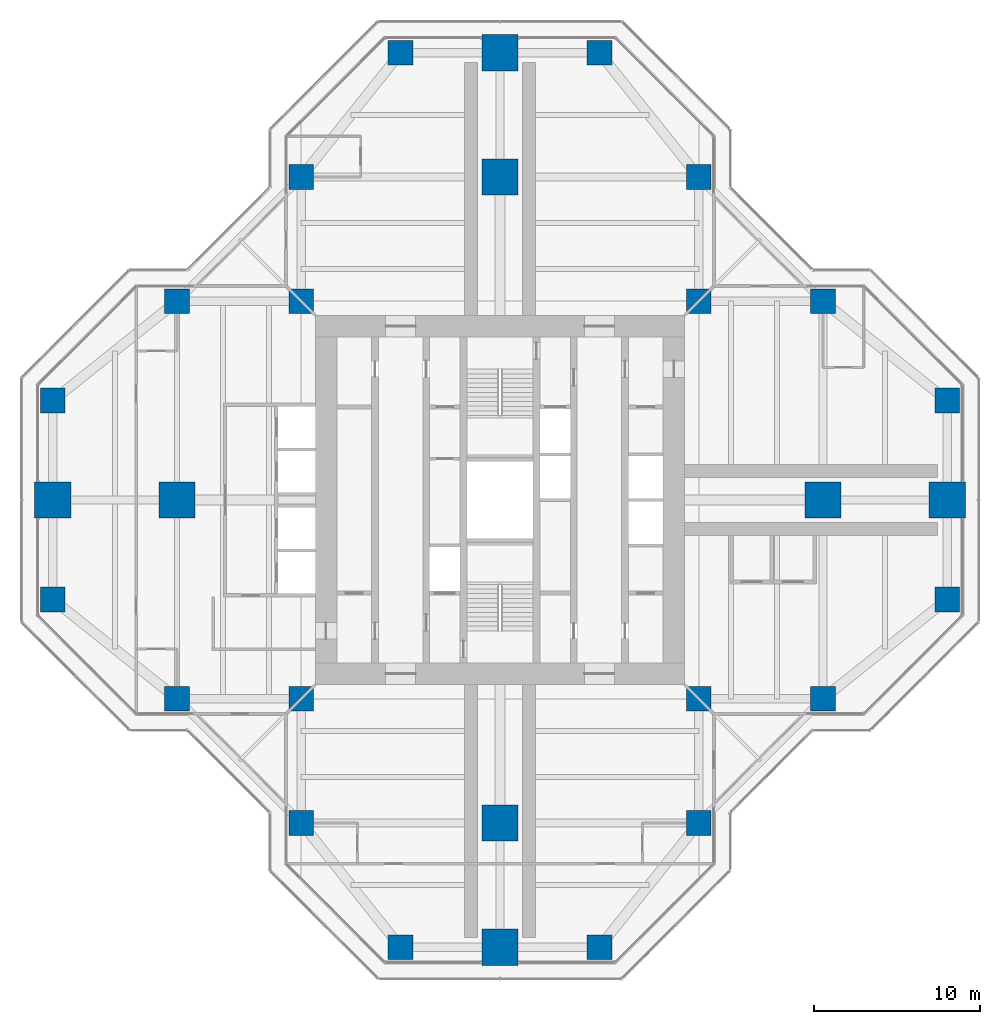
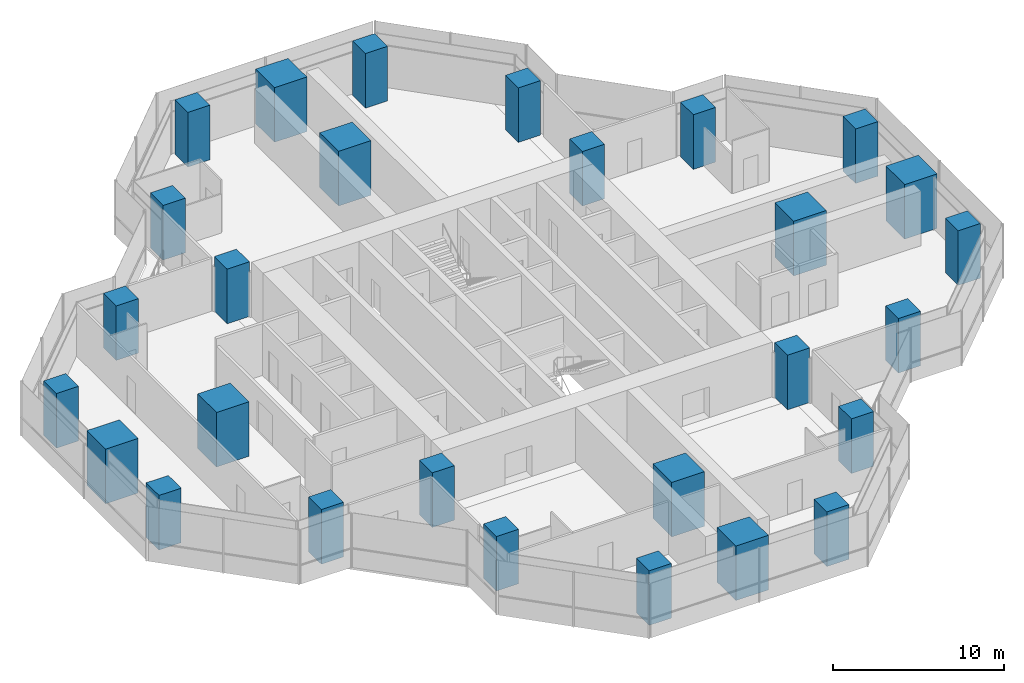
# One storey, part 1 of 17: 28 columns.
"""IFC4 building model written with IfcOpenShell, lengths in metres."""

from ifc_helpers import new_model, si_unit, direction, frame, origin, origin_2d, place, context, subcontext, project, spatial, rectangle, extrude, material, material_profile, profile_set, type_object, element, save


model = new_model("IFC4")

# Units and contexts
model_context = context("Model", 3, precision=1e-05, world=origin(), true_north=direction((0.0, 1.0)))
body_context = subcontext(model_context, "Body", "Model", "MODEL_VIEW")
ifc_project = project(units=[si_unit("LENGTHUNIT", "METRE"), si_unit("AREAUNIT", "SQUARE_METRE"), si_unit("VOLUMEUNIT", "CUBIC_METRE"), si_unit("PLANEANGLEUNIT", "RADIAN"), si_unit("MASSUNIT", "GRAM", prefix="KILO")], contexts=[model_context])

# Site, building, storey
site_placement = place(None, origin())
site = spatial("IfcSite", under=ifc_project, at=site_placement, CompositionType="ELEMENT")
building_placement = place(site_placement, origin())
building = spatial("IfcBuilding", under=site, at=building_placement, Name="Mizan Broadcast Tower", CompositionType="ELEMENT")
storey_placement = place(building_placement, frame((0.0, 0.0, 240.0)))
storey = spatial("IfcBuildingStorey", under=building, at=storey_placement, Name="L56", CompositionType="ELEMENT", Elevation=240.0)

# Columns
ifc_material_1 = material(Name="Concrete C70/85", Category="concrete")
ifc_material_profile_1 = material_profile(ifc_material_1, rectangle(XDim=1.5, YDim=1.5, at=origin_2d()), Name="RC 1500x1500")
ifc_profile_set_1 = profile_set([ifc_material_profile_1], Name="Concrete C70/85")
column_type_1 = type_object("IfcColumnType", Name="RC COLUMN 1500x1500 C70/85", PredefinedType="COLUMN", material=ifc_profile_set_1)
for number, where, z_axis, x_axis, name in (
    (1, (-6.0, -27.0, 0.0), (0.0, 0.0, 1.0), (1.0, 0.0, 0.0), "Column 5/B L56"),
    (2, (6.0, -27.0, 0.0), (0.0, 0.0, 1.0), (1.0, 0.0, 0.0), "Column 7/B L56"),
    (3, (-12.0, -19.5, 0.0), (0.0, 0.0, 1.0), (1.0, 0.0, 0.0), "Column 4/C L56"),
    (4, (12.0, -19.5, 0.0), (0.0, 0.0, 1.0), (1.0, 0.0, 0.0), "Column 8/C L56"),
    (5, (-19.5, -12.0, 0.0), (0.0, 0.0, 1.0), (1.0, 0.0, 0.0), "Column 3/D L56"),
    (6, (-12.0, -12.0, 0.0), (0.0, 0.0, 1.0), (1.0, 0.0, 0.0), "Column 4/D L56"),
    (7, (12.0, -12.0, 0.0), (0.0, 0.0, 1.0), (1.0, 0.0, 0.0), "Column 8/D L56"),
    (8, (19.5, -12.0, 0.0), (0.0, 0.0, 1.0), (1.0, 0.0, 0.0), "Column 9/D L56"),
    (9, (-27.0, -6.0, 0.0), (0.0, 0.0, 1.0), (1.0, 0.0, 0.0), "Column 2/E L56"),
    (10, (27.0, -6.0, 0.0), (0.0, 0.0, 1.0), (1.0, 0.0, 0.0), "Column 10/E L56"),
    (11, (-27.0, 6.0, 0.0), (0.0, 0.0, 1.0), (1.0, 0.0, 0.0), "Column 2/G L56"),
    (12, (27.0, 6.0, 0.0), (0.0, 0.0, 1.0), (1.0, 0.0, 0.0), "Column 10/G L56"),
    (13, (-19.5, 12.0, 0.0), (0.0, 0.0, 1.0), (1.0, 0.0, 0.0), "Column 3/H L56"),
    (14, (-12.0, 12.0, 0.0), (0.0, 0.0, 1.0), (1.0, 0.0, 0.0), "Column 4/H L56"),
    (15, (12.0, 12.0, 0.0), (0.0, 0.0, 1.0), (1.0, 0.0, 0.0), "Column 8/H L56"),
    (16, (19.5, 12.0, 0.0), (0.0, 0.0, 1.0), (1.0, 0.0, 0.0), "Column 9/H L56"),
    (17, (-12.0, 19.5, 0.0), (0.0, 0.0, 1.0), (1.0, 0.0, 0.0), "Column 4/J L56"),
    (18, (12.0, 19.5, 0.0), (0.0, 0.0, 1.0), (1.0, 0.0, 0.0), "Column 8/J L56"),
    (19, (-6.0, 27.0, 0.0), (0.0, 0.0, 1.0), (1.0, 0.0, 0.0), "Column 5/K L56"),
    (20, (6.0, 27.0, 0.0), (0.0, 0.0, 1.0), (1.0, 0.0, 0.0), "Column 7/K L56"),
):
    element("IfcColumn", number, at=place(storey_placement, frame(where, z_axis=z_axis, x_axis=x_axis)), inside=storey, type_object=column_type_1, Name=name, PredefinedType="COLUMN", context=body_context, shape_type="SweptSolid", body=[
        extrude(rectangle(XDim=1.5, YDim=1.5, at=origin_2d()), origin(), (0.0, 0.0, 1.0), 3.89990234375),
    ])
ifc_material_2 = material(Name="Concrete C70/85", Category="concrete")
ifc_material_profile_2 = material_profile(ifc_material_2, rectangle(XDim=2.199951171875, YDim=2.199951171875, at=origin_2d()), Name="RC 2200x2200")
ifc_profile_set_2 = profile_set([ifc_material_profile_2], Name="Concrete C70/85")
column_type_2 = type_object("IfcColumnType", Name="RC COLUMN 2200x2200 C70/85", PredefinedType="COLUMN", material=ifc_profile_set_2)
for number, where, z_axis, x_axis, name in (
    (21, (0.0, -27.0, 0.0), (0.0, 0.0, 1.0), (1.0, 0.0, 0.0), "Column 6/B L56"),
    (22, (0.0, -19.5, 0.0), (0.0, 0.0, 1.0), (1.0, 0.0, 0.0), "Column 6/C L56"),
    (23, (-27.0, 0.0, 0.0), (0.0, 0.0, 1.0), (1.0, 0.0, 0.0), "Column 2/F L56"),
    (24, (-19.5, 0.0, 0.0), (0.0, 0.0, 1.0), (1.0, 0.0, 0.0), "Column 3/F L56"),
    (25, (19.5, 0.0, 0.0), (0.0, 0.0, 1.0), (1.0, 0.0, 0.0), "Column 9/F L56"),
    (26, (27.0, 0.0, 0.0), (0.0, 0.0, 1.0), (1.0, 0.0, 0.0), "Column 10/F L56"),
    (27, (0.0, 19.5, 0.0), (0.0, 0.0, 1.0), (1.0, 0.0, 0.0), "Column 6/J L56"),
    (28, (0.0, 27.0, 0.0), (0.0, 0.0, 1.0), (1.0, 0.0, 0.0), "Column 6/K L56"),
):
    element("IfcColumn", number, at=place(storey_placement, frame(where, z_axis=z_axis, x_axis=x_axis)), inside=storey, type_object=column_type_2, Name=name, PredefinedType="COLUMN", context=body_context, shape_type="SweptSolid", body=[
        extrude(rectangle(XDim=2.199951171875, YDim=2.199951171875, at=origin_2d()), origin(), (0.0, 0.0, 1.0), 3.89990234375),
    ])

save(model, "model.ifc")
